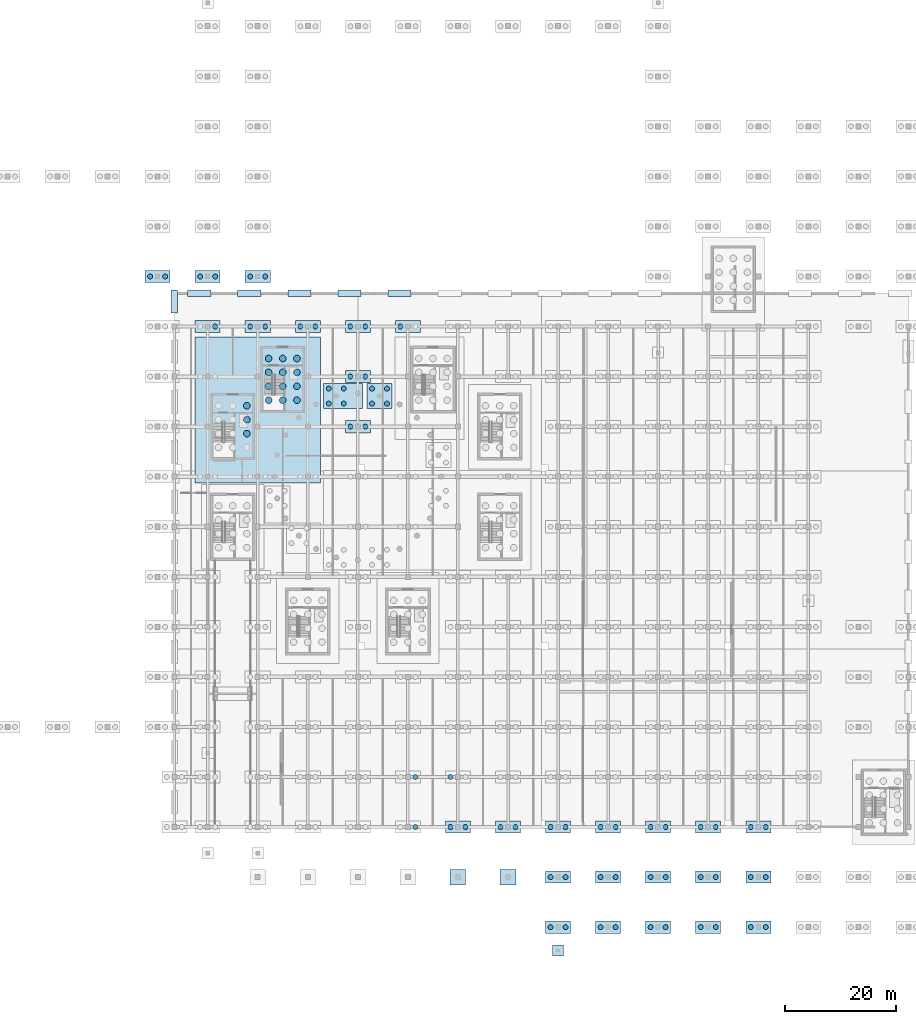
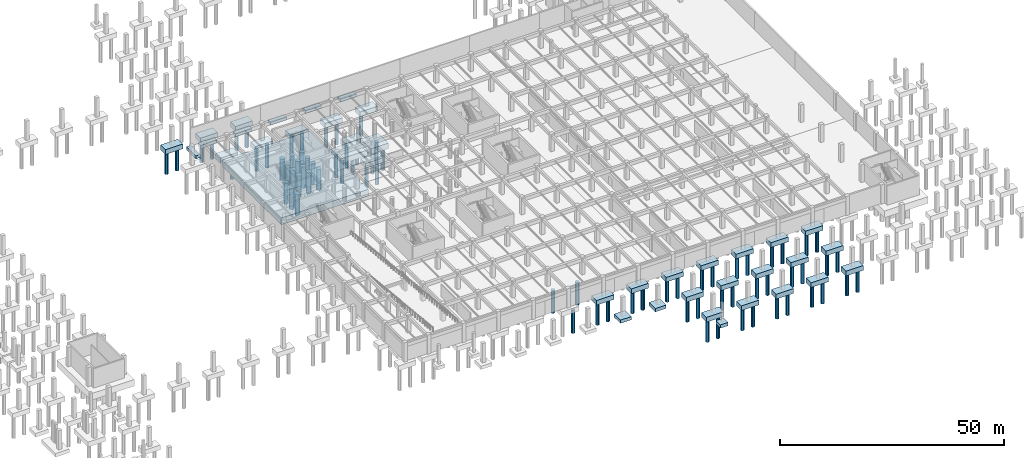
# One storey, part 4 of 27: 78 piles, 39 footings.
"""IFC4 building model written with IfcOpenShell, lengths in metres."""

import ifcopenshell
import ifcopenshell.guid

model = None  # the IFC model being written
_history = None  # IfcOwnerHistory: only IFC2X3 demands one
_inside = {}  # id of a spatial element -> (the spatial element, [elements in it])
_under = {}  # id of a project, library or spatial element -> (it, [spatial elements below it])
_declared = {}  # id of a project -> (the project, [libraries it declares])
_typed = {}  # id of a type object -> (the type object, [elements of that type])
_made_of = {}  # id of a material, layer set ... -> (it, [elements and type objects made of it])


def new_model(schema):
    """Start an empty IFC model of exactly this schema.

    Asked for "IFC4X3", IfcOpenShell would pick the latest addendum, in which some entities
    have other attributes; the version numbers below select the first issue.
    IFC2X3 requires an IfcOwnerHistory on every rooted entity: one is made here for all.
    """
    global model, _history
    if schema == "IFC4X3":
        model = ifcopenshell.file(schema_version=(4, 3, 0, 0))
    else:
        model = ifcopenshell.file(schema=schema)
    _inside.clear()
    _under.clear()
    _declared.clear()
    _typed.clear()
    _made_of.clear()
    _history = None
    if model.schema == "IFC2X3":
        org = make("IfcOrganization", Name="unknown")
        user = make(
            "IfcPersonAndOrganization",
            ThePerson=make("IfcPerson", FamilyName="unknown"),
            TheOrganization=org,
        )
        app = make(
            "IfcApplication",
            ApplicationDeveloper=org,
            Version="unknown",
            ApplicationFullName="unknown",
            ApplicationIdentifier="unknown",
        )
        _history = make(
            "IfcOwnerHistory",
            OwningUser=user,
            OwningApplication=app,
            ChangeAction="ADDED",
            CreationDate=0,
        )
    return model


def make(cls, **values):
    """One entity of the class cls with the attributes given. An attribute that is None is left unset."""
    return model.create_entity(
        cls, **{name: value for name, value in values.items() if value is not None}
    )


def rooted(cls, **values):
    """An entity with a GlobalId (a new one), such as an element, a storey or a relation."""
    return make(cls, GlobalId=ifcopenshell.guid.new(), OwnerHistory=_history, **values)


def si_unit(unit_type, name, prefix=None):
    """IfcSIUnit, for example si_unit("LENGTHUNIT", "METRE", prefix="MILLI")."""
    return make("IfcSIUnit", UnitType=unit_type, Prefix=prefix, Name=name)


def assignment(units):
    """IfcUnitAssignment: the units of a project."""
    return None if units is None else make("IfcUnitAssignment", Units=units)


def point(xyz):
    """IfcCartesianPoint."""
    return None if xyz is None else make("IfcCartesianPoint", Coordinates=xyz)


def direction(xyz):
    """IfcDirection."""
    return None if xyz is None else make("IfcDirection", DirectionRatios=xyz)


def frame(location, z_axis=None, x_axis=None):
    """IfcAxis2Placement3D, a coordinate frame: its origin and axes. An axis left out is left unset."""
    return make(
        "IfcAxis2Placement3D",
        Location=point(location),
        Axis=direction(z_axis),
        RefDirection=direction(x_axis),
    )


def frame_2d(location, x_axis=None):
    """IfcAxis2Placement2D, a coordinate frame in the plane: its origin and x axis."""
    return make(
        "IfcAxis2Placement2D", Location=point(location), RefDirection=direction(x_axis)
    )


def origin():
    """The frame at (0, 0, 0) with its axes left unset."""
    return frame((0.0, 0.0, 0.0))


def origin_2d():
    """The frame at (0, 0) in the plane with its x axis left unset."""
    return frame_2d((0.0, 0.0))


def place(relative_to, where):
    """IfcLocalPlacement: puts the frame where relative to a parent placement (None: the world)."""
    return make(
        "IfcLocalPlacement", PlacementRelTo=relative_to, RelativePlacement=where
    )


def context(
    kind, dimensions, precision=None, world=None, true_north=None, identifier=None
):
    """IfcGeometricRepresentationContext, for example the 3D "Model" context."""
    return make(
        "IfcGeometricRepresentationContext",
        ContextIdentifier=identifier,
        ContextType=kind,
        CoordinateSpaceDimension=dimensions,
        Precision=precision,
        WorldCoordinateSystem=world,
        TrueNorth=true_north,
    )


def subcontext(parent, identifier, kind, view, scale=None):
    """IfcGeometricRepresentationSubContext, for example "Body" below "Model"."""
    return make(
        "IfcGeometricRepresentationSubContext",
        ContextIdentifier=identifier,
        ContextType=kind,
        ParentContext=parent,
        TargetScale=scale,
        TargetView=view,
    )


def project(units=None, contexts=None):
    """IfcProject with its units and contexts."""
    return rooted(
        "IfcProject",
        Name="project",
        RepresentationContexts=contexts,
        UnitsInContext=assignment(units),
    )


def spatial(cls, under=None, at=None, **own):
    """A site, building, storey or space (cls), placed at a placement, below another one or the project."""
    s = rooted(cls, ObjectPlacement=at, **own)
    if under is not None:
        _under.setdefault(under.id(), (under, []))[1].append(s)
    return s


def polyline(points):
    """IfcPolyline through the points."""
    return make("IfcPolyline", Points=[point(p) for p in points])


def profile(cls, at=None, kind="AREA", **sizes):
    """A parametric profile (cls). Its sizes go by their IFC names, for example OverallWidth=200.0."""
    return make(cls, ProfileType=kind, Position=at, **sizes)


def circle(**sizes):
    """IfcCircleProfileDef."""
    return profile("IfcCircleProfileDef", **sizes)


def outline(outer, holes=None, kind="AREA"):
    """IfcArbitraryClosedProfileDef: a profile drawn as a closed curve; with holes, ...WithVoids."""
    if holes is None:
        return make("IfcArbitraryClosedProfileDef", ProfileType=kind, OuterCurve=outer)
    return make(
        "IfcArbitraryProfileDefWithVoids",
        ProfileType=kind,
        OuterCurve=outer,
        InnerCurves=holes,
    )


def extrude(swept, where, along, depth):
    """IfcExtrudedAreaSolid: the profile swept, set in the frame where, extruded along a direction by depth."""
    return make(
        "IfcExtrudedAreaSolid",
        SweptArea=swept,
        Position=where,
        ExtrudedDirection=direction(along),
        Depth=depth,
    )


def shape(context_of_items, identifier, shape_type, items):
    """IfcShapeRepresentation: the items that make up one representation, for example the "Body"."""
    return make(
        "IfcShapeRepresentation",
        ContextOfItems=context_of_items,
        RepresentationIdentifier=identifier,
        RepresentationType=shape_type,
        Items=items,
    )


def material(Name=None, Category=None):
    """IfcMaterial."""
    return make("IfcMaterial", Name=Name, Category=Category)


def layer(
    of_material, thickness, ventilated=None, Name=None, Category=None, Priority=None
):
    """IfcMaterialLayer: one layer of a wall or slab, of a material (None: an air gap)."""
    return make(
        "IfcMaterialLayer",
        Material=of_material,
        LayerThickness=thickness,
        IsVentilated=ventilated,
        Name=Name,
        Category=Category,
        Priority=Priority,
    )


def layer_set(layers, Name=None):
    """IfcMaterialLayerSet."""
    return make("IfcMaterialLayerSet", MaterialLayers=layers, LayerSetName=Name)


def material_profile(
    of_material, cross_section, Name=None, Category=None, Priority=None
):
    """IfcMaterialProfile: a cross section and its material."""
    return make(
        "IfcMaterialProfile",
        Name=Name,
        Material=of_material,
        Profile=cross_section,
        Priority=Priority,
        Category=Category,
    )


def profile_set(profiles, Name=None, composite=None):
    """IfcMaterialProfileSet."""
    return make(
        "IfcMaterialProfileSet",
        Name=Name,
        MaterialProfiles=profiles,
        CompositeProfile=composite,
    )


def made_of(thing, what):
    """Note that an element or type object is made of a material, layer set ...; save() writes the relation."""
    if what is not None:
        _made_of.setdefault(what.id(), (what, []))[1].append(thing)
    return thing


def type_object(cls, material=None, **own):
    """A type object (cls), such as IfcWallType, which elements share."""
    return made_of(rooted(cls, **own), material)


def element(
    cls,
    number,
    at=None,
    inside=None,
    cuts=None,
    type_object=None,
    material=None,
    context=None,
    identifier="Body",
    shape_type=None,
    held_by="IfcProductDefinitionShape",
    body=None,
    shapes=None,
    **own,
):
    """One element of the class cls, such as IfcWall. Its Tag is "e" and its number.

    at: its placement. inside: the storey or other place that contains it. cuts: it is an
    opening in that element (IfcRelVoidsElement). A single representation is given by context,
    identifier, shape_type and body (its items); several are given by shapes. held_by: the class
    of the entity that holds the representations. save() writes the other relations.
    """
    e = rooted(cls, Tag="e%d" % number, ObjectPlacement=at, **own)
    if body is not None:
        shapes = [shape(context, identifier, shape_type, body)]
    if shapes is not None:
        e.Representation = make(held_by, Representations=shapes)
    if inside is not None:
        _inside.setdefault(inside.id(), (inside, []))[1].append(e)
    if cuts is not None:
        rooted(
            "IfcRelVoidsElement", RelatingBuildingElement=cuts, RelatedOpeningElement=e
        )
    if type_object is not None:
        _typed.setdefault(type_object.id(), (type_object, []))[1].append(e)
    return made_of(e, material)


def aggregate(whole, parts):
    """IfcRelAggregates: a whole, such as a stair, and the parts it consists of."""
    return rooted("IfcRelAggregates", RelatingObject=whole, RelatedObjects=parts)


def save(model, path):
    """Write the relations noted so far, then the file.

    IfcRelAggregates (storeys below a building ...), IfcRelContainedInSpatialStructure (elements
    in a storey), IfcRelDefinesByType, IfcRelAssociatesMaterial and IfcRelDeclares: one each for
    every whole, place, type object, material and project.
    """
    for whole, parts in _under.values():
        aggregate(whole, parts)
    for where, things in _inside.values():
        rooted(
            "IfcRelContainedInSpatialStructure",
            RelatedElements=things,
            RelatingStructure=where,
        )
    for kind, things in _typed.values():
        rooted("IfcRelDefinesByType", RelatedObjects=things, RelatingType=kind)
    for what, things in _made_of.values():
        rooted("IfcRelAssociatesMaterial", RelatedObjects=things, RelatingMaterial=what)
    for by, libraries in _declared.values():
        rooted("IfcRelDeclares", RelatingContext=by, RelatedDefinitions=libraries)
    model.write(path)


model = new_model("IFC4")

# Units and contexts
model_context = context("Model", 3, precision=1e-05, world=origin(), true_north=direction((0.0, 1.0)))
body_context = subcontext(model_context, "Body", "Model", "MODEL_VIEW")
ifc_project = project(units=[si_unit("LENGTHUNIT", "METRE"), si_unit("AREAUNIT", "SQUARE_METRE"), si_unit("VOLUMEUNIT", "CUBIC_METRE"), si_unit("PLANEANGLEUNIT", "RADIAN"), si_unit("MASSUNIT", "GRAM", prefix="KILO")], contexts=[model_context])

# Site, building, storey
site_placement = place(None, origin())
site = spatial("IfcSite", under=ifc_project, at=site_placement, CompositionType="ELEMENT")
building_placement = place(site_placement, origin())
building = spatial("IfcBuilding", under=site, at=building_placement, Name="Dornveld Trade and Exhibition Forum", CompositionType="ELEMENT")
storey_placement = place(building_placement, frame((0.0, 0.0, -4.800048828125)))
storey = spatial("IfcBuildingStorey", under=building, at=storey_placement, Name="B1", CompositionType="ELEMENT", Elevation=-4.800048828125)

# Footings
ifc_material_1 = material(Name="Concrete C40/50", Category="concrete")
ifc_layer_1 = layer(ifc_material_1, 1.300048828125)
ifc_layer_set_1 = layer_set([ifc_layer_1], Name="Concrete C40/50")
footing_type_1 = type_object("IfcFootingType", Name="FT-CAP-2P", PredefinedType="PILE_CAP", material=ifc_layer_set_1)
footing_1_placement = place(storey_placement, frame((0.0, 0.0, -1.75)))
element("IfcFooting", 1, at=footing_1_placement, inside=storey, type_object=footing_type_1, Name="Multi-pile cap 90", PredefinedType="PILE_CAP", context=body_context, shape_type="SweptSolid", body=[
    extrude(outline(polyline([(78.75, 115.89990234375), (83.25, 115.89990234375), (83.25, 118.10009765625), (78.75, 118.10009765625), (78.75, 115.89990234375)])), origin(), (0.0, 0.0, 1.0), 1.300048828125),
])
footing_2_placement = place(storey_placement, frame((0.0, 0.0, -1.75)))
element("IfcFooting", 2, at=footing_2_placement, inside=storey, type_object=footing_type_1, Name="Multi-pile cap 103", PredefinedType="PILE_CAP", context=body_context, shape_type="SweptSolid", body=[
    extrude(outline(polyline([(87.75, 106.89990234375), (92.25, 106.89990234375), (92.25, 109.10009765625), (87.75, 109.10009765625), (87.75, 106.89990234375)])), origin(), (0.0, 0.0, 1.0), 1.300048828125),
])
footing_3_placement = place(storey_placement, frame((0.0, 0.0, -1.75)))
element("IfcFooting", 3, at=footing_3_placement, inside=storey, type_object=footing_type_1, Name="Multi-pile cap 104", PredefinedType="PILE_CAP", context=body_context, shape_type="SweptSolid", body=[
    extrude(outline(polyline([(87.75, 115.89990234375), (92.25, 115.89990234375), (92.25, 118.10009765625), (87.75, 118.10009765625), (87.75, 115.89990234375)])), origin(), (0.0, 0.0, 1.0), 1.300048828125),
])
footing_4_placement = place(storey_placement, frame((0.0, 0.0, -1.75)))
element("IfcFooting", 4, at=footing_4_placement, inside=storey, type_object=footing_type_1, Name="Multi-pile cap 117", PredefinedType="PILE_CAP", context=body_context, shape_type="SweptSolid", body=[
    extrude(outline(polyline([(96.75, 106.89990234375), (101.25, 106.89990234375), (101.25, 109.10009765625), (96.75, 109.10009765625), (96.75, 106.89990234375)])), origin(), (0.0, 0.0, 1.0), 1.300048828125),
])
footing_5_placement = place(storey_placement, frame((0.0, 0.0, -1.75)))
element("IfcFooting", 5, at=footing_5_placement, inside=storey, type_object=footing_type_1, Name="Multi-pile cap 118", PredefinedType="PILE_CAP", context=body_context, shape_type="SweptSolid", body=[
    extrude(outline(polyline([(96.75, 115.89990234375), (101.25, 115.89990234375), (101.25, 118.10009765625), (96.75, 118.10009765625), (96.75, 115.89990234375)])), origin(), (0.0, 0.0, 1.0), 1.300048828125),
])
footing_6_placement = place(storey_placement, frame((0.0, 0.0, -1.75)))
element("IfcFooting", 6, at=footing_6_placement, inside=storey, type_object=footing_type_1, Name="Multi-pile cap 131", PredefinedType="PILE_CAP", context=body_context, shape_type="SweptSolid", body=[
    extrude(outline(polyline([(105.75, 106.89990234375), (110.25, 106.89990234375), (110.25, 109.10009765625), (105.75, 109.10009765625), (105.75, 106.89990234375)])), origin(), (0.0, 0.0, 1.0), 1.300048828125),
])
footing_7_placement = place(storey_placement, frame((0.0, 0.0, -1.75)))
element("IfcFooting", 7, at=footing_7_placement, inside=storey, type_object=footing_type_1, Name="Multi-pile cap 143", PredefinedType="PILE_CAP", context=body_context, shape_type="SweptSolid", body=[
    extrude(outline(polyline([(114.75, 88.89990234375), (119.25, 88.89990234375), (119.25, 91.10009765625), (114.75, 91.10009765625), (114.75, 88.89990234375)])), origin(), (0.0, 0.0, 1.0), 1.300048828125),
])
footing_8_placement = place(storey_placement, frame((0.0, 0.0, -1.75)))
element("IfcFooting", 8, at=footing_8_placement, inside=storey, type_object=footing_type_1, Name="Multi-pile cap 144", PredefinedType="PILE_CAP", context=body_context, shape_type="SweptSolid", body=[
    extrude(outline(polyline([(114.75, 97.89990234375), (119.25, 97.89990234375), (119.25, 100.10009765625), (114.75, 100.10009765625), (114.75, 97.89990234375)])), origin(), (0.0, 0.0, 1.0), 1.300048828125),
])
footing_9_placement = place(storey_placement, frame((0.0, 0.0, -1.75)))
element("IfcFooting", 9, at=footing_9_placement, inside=storey, type_object=footing_type_1, Name="Multi-pile cap 145", PredefinedType="PILE_CAP", context=body_context, shape_type="SweptSolid", body=[
    extrude(outline(polyline([(114.75, 106.89990234375), (119.25, 106.89990234375), (119.25, 109.10009765625), (114.75, 109.10009765625), (114.75, 106.89990234375)])), origin(), (0.0, 0.0, 1.0), 1.300048828125),
])
footing_10_placement = place(storey_placement, frame((0.0, 0.0, -1.75)))
element("IfcFooting", 10, at=footing_10_placement, inside=storey, type_object=footing_type_1, Name="Multi-pile cap 155", PredefinedType="PILE_CAP", context=body_context, shape_type="SweptSolid", body=[
    extrude(outline(polyline([(123.75, 106.89990234375), (128.25, 106.89990234375), (128.25, 109.10009765625), (123.75, 109.10009765625), (123.75, 106.89990234375)])), origin(), (0.0, 0.0, 1.0), 1.300048828125),
])
footing_11_placement = place(storey_placement, frame((0.0, 0.0, -1.75)))
element("IfcFooting", 11, at=footing_11_placement, inside=storey, type_object=footing_type_1, Name="Multi-pile cap 159", PredefinedType="PILE_CAP", context=body_context, shape_type="SweptSolid", body=[
    extrude(outline(polyline([(132.75, 16.89990234375), (137.25, 16.89990234375), (137.25, 19.10009765625), (132.75, 19.10009765625), (132.75, 16.89990234375)])), origin(), (0.0, 0.0, 1.0), 1.300048828125),
])
footing_12_placement = place(storey_placement, frame((0.0, 0.0, -1.75)))
element("IfcFooting", 12, at=footing_12_placement, inside=storey, type_object=footing_type_1, Name="Multi-pile cap 167", PredefinedType="PILE_CAP", context=body_context, shape_type="SweptSolid", body=[
    extrude(outline(polyline([(141.75, 16.89990234375), (146.25, 16.89990234375), (146.25, 19.10009765625), (141.75, 19.10009765625), (141.75, 16.89990234375)])), origin(), (0.0, 0.0, 1.0), 1.300048828125),
])
footing_13_placement = place(storey_placement, frame((0.0, 0.0, -1.75)))
element("IfcFooting", 13, at=footing_13_placement, inside=storey, type_object=footing_type_1, Name="Multi-pile cap 177", PredefinedType="PILE_CAP", context=body_context, shape_type="SweptSolid", body=[
    extrude(outline(polyline([(150.75, -1.10009765625), (155.25, -1.10009765625), (155.25, 1.10009765625), (150.75, 1.10009765625), (150.75, -1.10009765625)])), origin(), (0.0, 0.0, 1.0), 1.300048828125),
])
footing_14_placement = place(storey_placement, frame((0.0, 0.0, -1.75)))
element("IfcFooting", 14, at=footing_14_placement, inside=storey, type_object=footing_type_1, Name="Multi-pile cap 178", PredefinedType="PILE_CAP", context=body_context, shape_type="SweptSolid", body=[
    extrude(outline(polyline([(150.75, 7.89990234375), (155.25, 7.89990234375), (155.25, 10.10009765625), (150.75, 10.10009765625), (150.75, 7.89990234375)])), origin(), (0.0, 0.0, 1.0), 1.300048828125),
])
footing_15_placement = place(storey_placement, frame((0.0, 0.0, -1.75)))
element("IfcFooting", 15, at=footing_15_placement, inside=storey, type_object=footing_type_1, Name="Multi-pile cap 179", PredefinedType="PILE_CAP", context=body_context, shape_type="SweptSolid", body=[
    extrude(outline(polyline([(150.75, 16.89990234375), (155.25, 16.89990234375), (155.25, 19.10009765625), (150.75, 19.10009765625), (150.75, 16.89990234375)])), origin(), (0.0, 0.0, 1.0), 1.300048828125),
])
footing_16_placement = place(storey_placement, frame((0.0, 0.0, -1.75)))
element("IfcFooting", 16, at=footing_16_placement, inside=storey, type_object=footing_type_1, Name="Multi-pile cap 191", PredefinedType="PILE_CAP", context=body_context, shape_type="SweptSolid", body=[
    extrude(outline(polyline([(159.75, -1.10009765625), (164.25, -1.10009765625), (164.25, 1.10009765625), (159.75, 1.10009765625), (159.75, -1.10009765625)])), origin(), (0.0, 0.0, 1.0), 1.300048828125),
])
footing_17_placement = place(storey_placement, frame((0.0, 0.0, -1.75)))
element("IfcFooting", 17, at=footing_17_placement, inside=storey, type_object=footing_type_1, Name="Multi-pile cap 192", PredefinedType="PILE_CAP", context=body_context, shape_type="SweptSolid", body=[
    extrude(outline(polyline([(159.75, 7.89990234375), (164.25, 7.89990234375), (164.25, 10.10009765625), (159.75, 10.10009765625), (159.75, 7.89990234375)])), origin(), (0.0, 0.0, 1.0), 1.300048828125),
])
footing_18_placement = place(storey_placement, frame((0.0, 0.0, -1.75)))
element("IfcFooting", 18, at=footing_18_placement, inside=storey, type_object=footing_type_1, Name="Multi-pile cap 193", PredefinedType="PILE_CAP", context=body_context, shape_type="SweptSolid", body=[
    extrude(outline(polyline([(159.75, 16.89990234375), (164.25, 16.89990234375), (164.25, 19.10009765625), (159.75, 19.10009765625), (159.75, 16.89990234375)])), origin(), (0.0, 0.0, 1.0), 1.300048828125),
])
footing_19_placement = place(storey_placement, frame((0.0, 0.0, -1.75)))
element("IfcFooting", 19, at=footing_19_placement, inside=storey, type_object=footing_type_1, Name="Multi-pile cap 205", PredefinedType="PILE_CAP", context=body_context, shape_type="SweptSolid", body=[
    extrude(outline(polyline([(168.75, -1.10009765625), (173.25, -1.10009765625), (173.25, 1.10009765625), (168.75, 1.10009765625), (168.75, -1.10009765625)])), origin(), (0.0, 0.0, 1.0), 1.300048828125),
])
footing_20_placement = place(storey_placement, frame((0.0, 0.0, -1.75)))
element("IfcFooting", 20, at=footing_20_placement, inside=storey, type_object=footing_type_1, Name="Multi-pile cap 206", PredefinedType="PILE_CAP", context=body_context, shape_type="SweptSolid", body=[
    extrude(outline(polyline([(168.75, 7.89990234375), (173.25, 7.89990234375), (173.25, 10.10009765625), (168.75, 10.10009765625), (168.75, 7.89990234375)])), origin(), (0.0, 0.0, 1.0), 1.300048828125),
])
footing_21_placement = place(storey_placement, frame((0.0, 0.0, -1.75)))
element("IfcFooting", 21, at=footing_21_placement, inside=storey, type_object=footing_type_1, Name="Multi-pile cap 207", PredefinedType="PILE_CAP", context=body_context, shape_type="SweptSolid", body=[
    extrude(outline(polyline([(168.75, 16.89990234375), (173.25, 16.89990234375), (173.25, 19.10009765625), (168.75, 19.10009765625), (168.75, 16.89990234375)])), origin(), (0.0, 0.0, 1.0), 1.300048828125),
])
footing_22_placement = place(storey_placement, frame((0.0, 0.0, -1.75)))
element("IfcFooting", 22, at=footing_22_placement, inside=storey, type_object=footing_type_1, Name="Multi-pile cap 224", PredefinedType="PILE_CAP", context=body_context, shape_type="SweptSolid", body=[
    extrude(outline(polyline([(177.75, -1.10009765625), (182.25, -1.10009765625), (182.25, 1.10009765625), (177.75, 1.10009765625), (177.75, -1.10009765625)])), origin(), (0.0, 0.0, 1.0), 1.300048828125),
])
footing_23_placement = place(storey_placement, frame((0.0, 0.0, -1.75)))
element("IfcFooting", 23, at=footing_23_placement, inside=storey, type_object=footing_type_1, Name="Multi-pile cap 225", PredefinedType="PILE_CAP", context=body_context, shape_type="SweptSolid", body=[
    extrude(outline(polyline([(177.75, 7.89990234375), (182.25, 7.89990234375), (182.25, 10.10009765625), (177.75, 10.10009765625), (177.75, 7.89990234375)])), origin(), (0.0, 0.0, 1.0), 1.300048828125),
])
footing_24_placement = place(storey_placement, frame((0.0, 0.0, -1.75)))
element("IfcFooting", 24, at=footing_24_placement, inside=storey, type_object=footing_type_1, Name="Multi-pile cap 226", PredefinedType="PILE_CAP", context=body_context, shape_type="SweptSolid", body=[
    extrude(outline(polyline([(177.75, 16.89990234375), (182.25, 16.89990234375), (182.25, 19.10009765625), (177.75, 19.10009765625), (177.75, 16.89990234375)])), origin(), (0.0, 0.0, 1.0), 1.300048828125),
])
footing_25_placement = place(storey_placement, frame((0.0, 0.0, -1.75)))
element("IfcFooting", 25, at=footing_25_placement, inside=storey, type_object=footing_type_1, Name="Multi-pile cap 239", PredefinedType="PILE_CAP", context=body_context, shape_type="SweptSolid", body=[
    extrude(outline(polyline([(186.75, -1.10009765625), (191.25, -1.10009765625), (191.25, 1.10009765625), (186.75, 1.10009765625), (186.75, -1.10009765625)])), origin(), (0.0, 0.0, 1.0), 1.300048828125),
])
footing_26_placement = place(storey_placement, frame((0.0, 0.0, -1.75)))
element("IfcFooting", 26, at=footing_26_placement, inside=storey, type_object=footing_type_1, Name="Multi-pile cap 240", PredefinedType="PILE_CAP", context=body_context, shape_type="SweptSolid", body=[
    extrude(outline(polyline([(186.75, 7.89990234375), (191.25, 7.89990234375), (191.25, 10.10009765625), (186.75, 10.10009765625), (186.75, 7.89990234375)])), origin(), (0.0, 0.0, 1.0), 1.300048828125),
])
footing_27_placement = place(storey_placement, frame((0.0, 0.0, -1.75)))
element("IfcFooting", 27, at=footing_27_placement, inside=storey, type_object=footing_type_1, Name="Multi-pile cap 241", PredefinedType="PILE_CAP", context=body_context, shape_type="SweptSolid", body=[
    extrude(outline(polyline([(186.75, 16.89990234375), (191.25, 16.89990234375), (191.25, 19.10009765625), (186.75, 19.10009765625), (186.75, 16.89990234375)])), origin(), (0.0, 0.0, 1.0), 1.300048828125),
])
ifc_material_2 = material(Name="Concrete C40/50", Category="concrete")
ifc_layer_2 = layer(ifc_material_2, 1.5)
ifc_layer_set_2 = layer_set([ifc_layer_2], Name="Concrete C40/50")
footing_type_2 = type_object("IfcFootingType", Name="FT-CAP-4P", PredefinedType="PILE_CAP", material=ifc_layer_set_2)
footing_28_placement = place(storey_placement, frame((0.0, 0.0, -1.949951171875)))
element("IfcFooting", 28, at=footing_28_placement, inside=storey, type_object=footing_type_2, Name="Multi-pile cap 134", PredefinedType="PILE_CAP", context=body_context, shape_type="SweptSolid", body=[
    extrude(outline(polyline([(110.867919921875, 93.239013671875), (117.800048828125, 93.239013671875), (117.800048828125, 97.739013671875), (110.867919921875, 97.739013671875), (110.867919921875, 93.239013671875)])), origin(), (0.0, 0.0, 1.0), 1.5),
])
footing_29_placement = place(storey_placement, frame((0.0, 0.0, -1.949951171875)))
element("IfcFooting", 29, at=footing_29_placement, inside=storey, type_object=footing_type_2, Name="Multi-pile cap 148", PredefinedType="PILE_CAP", context=body_context, shape_type="SweptSolid", body=[
    extrude(outline(polyline([(118.632080078125, 93.239013671875), (123.132080078125, 93.239013671875), (123.132080078125, 97.739013671875), (118.632080078125, 97.739013671875), (118.632080078125, 93.239013671875)])), origin(), (0.0, 0.0, 1.0), 1.5),
])
ifc_material_3 = material(Name="Concrete C40/50", Category="concrete")
ifc_layer_3 = layer(ifc_material_3, 0.89990234375)
ifc_layer_set_3 = layer_set([ifc_layer_3], Name="Concrete C40/50")
footing_type_3 = type_object("IfcFootingType", Name="FT-PAD-CAN", PredefinedType="PAD_FOOTING", material=ifc_layer_set_3)
footing_30_placement = place(storey_placement, frame((0.0, 0.0, -1.349853515625)))
element("IfcFooting", 30, at=footing_30_placement, inside=storey, type_object=footing_type_3, Name="Canopy pad footing 7", PredefinedType="PAD_FOOTING", context=body_context, shape_type="SweptSolid", body=[
    extrude(outline(polyline([(133.60009765625, 7.60009765625), (136.39990234375, 7.60009765625), (136.39990234375, 10.39990234375), (133.60009765625, 10.39990234375), (133.60009765625, 7.60009765625)])), origin(), (0.0, 0.0, 1.0), 0.89990234375),
])
footing_31_placement = place(storey_placement, frame((0.0, 0.0, -1.349853515625)))
element("IfcFooting", 31, at=footing_31_placement, inside=storey, type_object=footing_type_3, Name="Canopy pad footing 8", PredefinedType="PAD_FOOTING", context=body_context, shape_type="SweptSolid", body=[
    extrude(outline(polyline([(142.60009765625, 7.60009765625), (145.39990234375, 7.60009765625), (145.39990234375, 10.39990234375), (142.60009765625, 10.39990234375), (142.60009765625, 7.60009765625)])), origin(), (0.0, 0.0, 1.0), 0.89990234375),
])
footing_32_placement = place(storey_placement, frame((0.0, 0.0, -1.349853515625)))
element("IfcFooting", 32, at=footing_32_placement, inside=storey, type_object=footing_type_3, Name="Paving edge pad footing 7", PredefinedType="PAD_FOOTING", context=body_context, shape_type="SweptSolid", body=[
    extrude(outline(polyline([(152.0, -5.199951171875), (154.0, -5.199951171875), (154.0, -3.199951171875), (152.0, -3.199951171875), (152.0, -5.199951171875)])), origin(), (0.0, 0.0, 1.0), 0.89990234375),
])
ifc_material_4 = material(Name="Concrete C40/50", Category="concrete")
ifc_layer_4 = layer(ifc_material_4, 1.800048828125)
ifc_layer_set_4 = layer_set([ifc_layer_4], Name="Concrete C40/50")
footing_type_4 = type_object("IfcFootingType", Name="FT-RAFT-CORE", PredefinedType="PILE_CAP", material=ifc_layer_set_4)
footing_33_placement = place(storey_placement, frame((0.0, 0.0, -2.25)))
element("IfcFooting", 33, at=footing_33_placement, inside=storey, type_object=footing_type_4, Name="CORE-03 piled foundation raft", PredefinedType="PILE_CAP", context=body_context, shape_type="SweptSolid", body=[
    extrude(outline(polyline([(87.75, 79.89990234375), (110.300048828125, 79.89990234375), (110.300048828125, 106.10009765625), (87.75, 106.10009765625), (87.75, 79.89990234375)])), origin(), (0.0, 0.0, 1.0), 1.800048828125),
])
ifc_material_5 = material(Name="Concrete C40/50", Category="concrete")
ifc_layer_5 = layer(ifc_material_5, 0.800048828125)
ifc_layer_set_5 = layer_set([ifc_layer_5], Name="Concrete C40/50")
footing_type_5 = type_object("IfcFootingType", Name="FT-STRIP-900", PredefinedType="STRIP_FOOTING", material=ifc_layer_set_5)
footing_34_placement = place(storey_placement, frame((0.0, 0.0, -1.25)))
element("IfcFooting", 34, at=footing_34_placement, inside=storey, type_object=footing_type_5, Name="Basement perimeter strip footing 1", PredefinedType="STRIP_FOOTING", context=body_context, shape_type="SweptSolid", body=[
    extrude(outline(polyline([(86.39990234375, 113.39990234375), (90.60009765625, 113.39990234375), (90.60009765625, 114.60009765625), (86.39990234375, 114.60009765625), (86.39990234375, 113.39990234375)])), origin(), (0.0, 0.0, 1.0), 0.800048828125),
])
footing_35_placement = place(storey_placement, frame((0.0, 0.0, -1.25)))
element("IfcFooting", 35, at=footing_35_placement, inside=storey, type_object=footing_type_5, Name="Basement perimeter strip footing 2", PredefinedType="STRIP_FOOTING", context=body_context, shape_type="SweptSolid", body=[
    extrude(outline(polyline([(95.39990234375, 113.39990234375), (99.60009765625, 113.39990234375), (99.60009765625, 114.60009765625), (95.39990234375, 114.60009765625), (95.39990234375, 113.39990234375)])), origin(), (0.0, 0.0, 1.0), 0.800048828125),
])
footing_36_placement = place(storey_placement, frame((0.0, 0.0, -1.25)))
element("IfcFooting", 36, at=footing_36_placement, inside=storey, type_object=footing_type_5, Name="Basement perimeter strip footing 3", PredefinedType="STRIP_FOOTING", context=body_context, shape_type="SweptSolid", body=[
    extrude(outline(polyline([(104.39990234375, 113.39990234375), (108.60009765625, 113.39990234375), (108.60009765625, 114.60009765625), (104.39990234375, 114.60009765625), (104.39990234375, 113.39990234375)])), origin(), (0.0, 0.0, 1.0), 0.800048828125),
])
footing_37_placement = place(storey_placement, frame((0.0, 0.0, -1.25)))
element("IfcFooting", 37, at=footing_37_placement, inside=storey, type_object=footing_type_5, Name="Basement perimeter strip footing 4", PredefinedType="STRIP_FOOTING", context=body_context, shape_type="SweptSolid", body=[
    extrude(outline(polyline([(113.39990234375, 113.39990234375), (117.60009765625, 113.39990234375), (117.60009765625, 114.60009765625), (113.39990234375, 114.60009765625), (113.39990234375, 113.39990234375)])), origin(), (0.0, 0.0, 1.0), 0.800048828125),
])
footing_38_placement = place(storey_placement, frame((0.0, 0.0, -1.25)))
element("IfcFooting", 38, at=footing_38_placement, inside=storey, type_object=footing_type_5, Name="Basement perimeter strip footing 5", PredefinedType="STRIP_FOOTING", context=body_context, shape_type="SweptSolid", body=[
    extrude(outline(polyline([(122.39990234375, 113.39990234375), (126.60009765625, 113.39990234375), (126.60009765625, 114.60009765625), (122.39990234375, 114.60009765625), (122.39990234375, 113.39990234375)])), origin(), (0.0, 0.0, 1.0), 0.800048828125),
])
footing_39_placement = place(storey_placement, frame((0.0, 0.0, -1.25)))
element("IfcFooting", 39, at=footing_39_placement, inside=storey, type_object=footing_type_5, Name="Basement perimeter strip footing 24", PredefinedType="STRIP_FOOTING", context=body_context, shape_type="SweptSolid", body=[
    extrude(outline(polyline([(83.39990234375, 110.39990234375), (84.60009765625, 110.39990234375), (84.60009765625, 114.60009765625), (83.39990234375, 114.60009765625), (83.39990234375, 110.39990234375)])), origin(), (0.0, 0.0, 1.0), 0.800048828125),
])

# Piles
ifc_material_6 = material(Name="Concrete C40/50", Category="concrete")
ifc_material_profile_1 = material_profile(ifc_material_6, circle(Radius=0.60009765625, at=origin_2d()), Name="PILE D1200")
ifc_profile_set_1 = profile_set([ifc_material_profile_1], Name="Concrete C40/50")
pile_type_1 = type_object("IfcPileType", Name="PILE-B1200", PredefinedType="BORED", material=ifc_profile_set_1)
for number, where, z_axis, x_axis, name in (
    (40, (100.949951171875, 94.75, -2.14990234375), (0.0, 0.0, -1.0), (1.0, 0.0, 0.0), "CORE-03 rock-socketed bored pile 1"),
    (41, (100.949951171875, 97.25, -2.14990234375), (0.0, 0.0, -1.0), (1.0, 0.0, 0.0), "CORE-03 rock-socketed bored pile 2"),
    (42, (100.949951171875, 99.75, -2.14990234375), (0.0, 0.0, -1.0), (1.0, 0.0, 0.0), "CORE-03 rock-socketed bored pile 3"),
    (43, (100.949951171875, 102.25, -2.14990234375), (0.0, 0.0, -1.0), (1.0, 0.0, 0.0), "CORE-03 rock-socketed bored pile 4"),
    (44, (103.5, 94.75, -2.14990234375), (0.0, 0.0, -1.0), (1.0, 0.0, 0.0), "CORE-03 rock-socketed bored pile 5"),
    (45, (103.5, 97.25, -2.14990234375), (0.0, 0.0, -1.0), (1.0, 0.0, 0.0), "CORE-03 rock-socketed bored pile 6"),
    (46, (103.5, 99.75, -2.14990234375), (0.0, 0.0, -1.0), (1.0, 0.0, 0.0), "CORE-03 rock-socketed bored pile 7"),
    (47, (103.5, 102.25, -2.14990234375), (0.0, 0.0, -1.0), (1.0, 0.0, 0.0), "CORE-03 rock-socketed bored pile 8"),
    (48, (106.050048828125, 94.75, -2.14990234375), (0.0, 0.0, -1.0), (1.0, 0.0, 0.0), "CORE-03 rock-socketed bored pile 9"),
    (49, (106.050048828125, 97.25, -2.14990234375), (0.0, 0.0, -1.0), (1.0, 0.0, 0.0), "CORE-03 rock-socketed bored pile 10"),
    (50, (106.050048828125, 99.75, -2.14990234375), (0.0, 0.0, -1.0), (1.0, 0.0, 0.0), "CORE-03 rock-socketed bored pile 11"),
    (51, (106.050048828125, 102.25, -2.14990234375), (0.0, 0.0, -1.0), (1.0, 0.0, 0.0), "CORE-03 rock-socketed bored pile 12"),
    (52, (97.050048828125, 88.75, -2.14990234375), (0.0, 0.0, -1.0), (1.0, 0.0, 0.0), "CORE-04 rock-socketed bored pile 10"),
    (53, (97.050048828125, 91.25, -2.14990234375), (0.0, 0.0, -1.0), (1.0, 0.0, 0.0), "CORE-04 rock-socketed bored pile 11"),
    (54, (97.050048828125, 93.75, -2.14990234375), (0.0, 0.0, -1.0), (1.0, 0.0, 0.0), "CORE-04 rock-socketed bored pile 12"),
):
    element("IfcPile", number, at=place(storey_placement, frame(where, z_axis=z_axis, x_axis=x_axis)), inside=storey, type_object=pile_type_1, Name=name, PredefinedType="BORED", context=body_context, shape_type="SweptSolid", body=[
        extrude(circle(Radius=0.60009765625, at=origin_2d()), origin(), (0.0, 0.0, 1.0), 5.75),
    ])
ifc_material_7 = material(Name="Concrete C40/50", Category="concrete")
ifc_material_profile_2 = material_profile(ifc_material_7, circle(Radius=0.449951171875, at=origin_2d()), Name="PILE D900")
ifc_profile_set_2 = profile_set([ifc_material_profile_2], Name="Concrete C40/50")
pile_type_2 = type_object("IfcPileType", Name="PILE-B900", PredefinedType="BORED", material=ifc_profile_set_2)
for number, where, z_axis, x_axis, name in (
    (55, (79.64990234375, 117.0, -1.64990234375), (0.0, 0.0, -1.0), (1.0, 0.0, 0.0), "Cap 90 rock-socketed pile 1"),
    (56, (82.35009765625, 117.0, -1.64990234375), (0.0, 0.0, -1.0), (1.0, 0.0, 0.0), "Cap 90 rock-socketed pile 2"),
    (57, (91.35009765625, 108.0, -1.64990234375), (0.0, 0.0, -1.0), (1.0, 0.0, 0.0), "Cap 103 rock-socketed pile 2"),
    (58, (88.64990234375, 117.0, -1.64990234375), (0.0, 0.0, -1.0), (1.0, 0.0, 0.0), "Cap 104 rock-socketed pile 1"),
    (59, (91.35009765625, 117.0, -1.64990234375), (0.0, 0.0, -1.0), (1.0, 0.0, 0.0), "Cap 104 rock-socketed pile 2"),
    (60, (97.64990234375, 108.0, -1.64990234375), (0.0, 0.0, -1.0), (1.0, 0.0, 0.0), "Cap 117 rock-socketed pile 1"),
    (61, (100.35009765625, 108.0, -1.64990234375), (0.0, 0.0, -1.0), (1.0, 0.0, 0.0), "Cap 117 rock-socketed pile 2"),
    (62, (97.64990234375, 117.0, -1.64990234375), (0.0, 0.0, -1.0), (1.0, 0.0, 0.0), "Cap 118 rock-socketed pile 1"),
    (63, (100.35009765625, 117.0, -1.64990234375), (0.0, 0.0, -1.0), (1.0, 0.0, 0.0), "Cap 118 rock-socketed pile 2"),
    (64, (106.64990234375, 108.0, -1.64990234375), (0.0, 0.0, -1.0), (1.0, 0.0, 0.0), "Cap 131 rock-socketed pile 1"),
    (65, (109.35009765625, 108.0, -1.64990234375), (0.0, 0.0, -1.0), (1.0, 0.0, 0.0), "Cap 131 rock-socketed pile 2"),
):
    element("IfcPile", number, at=place(storey_placement, frame(where, z_axis=z_axis, x_axis=x_axis)), inside=storey, type_object=pile_type_2, Name=name, PredefinedType="BORED", context=body_context, shape_type="SweptSolid", body=[
        extrude(circle(Radius=0.449951171875, at=origin_2d()), origin(), (0.0, 0.0, 1.0), 6.25),
    ])
for number, where, z_axis, x_axis, name in (
    (66, (111.76806640625, 94.138916015625, -1.849853515625), (0.0, 0.0, -1.0), (1.0, 0.0, 0.0), "Cap 134 rock-socketed pile 1"),
    (67, (111.76806640625, 96.839111328125, -1.849853515625), (0.0, 0.0, -1.0), (1.0, 0.0, 0.0), "Cap 134 rock-socketed pile 2"),
    (68, (114.468017578125, 94.138916015625, -1.849853515625), (0.0, 0.0, -1.0), (1.0, 0.0, 0.0), "Cap 134 rock-socketed pile 3"),
    (69, (114.468017578125, 96.839111328125, -1.849853515625), (0.0, 0.0, -1.0), (1.0, 0.0, 0.0), "Cap 134 rock-socketed pile 4"),
):
    element("IfcPile", number, at=place(storey_placement, frame(where, z_axis=z_axis, x_axis=x_axis)), inside=storey, type_object=pile_type_2, Name=name, PredefinedType="BORED", context=body_context, shape_type="SweptSolid", body=[
        extrude(circle(Radius=0.449951171875, at=origin_2d()), origin(), (0.0, 0.0, 1.0), 6.050048828125),
    ])
for number, where, z_axis, x_axis, name in (
    (70, (115.64990234375, 90.0, -1.64990234375), (0.0, 0.0, -1.0), (1.0, 0.0, 0.0), "Cap 143 rock-socketed pile 1"),
    (71, (118.35009765625, 90.0, -1.64990234375), (0.0, 0.0, -1.0), (1.0, 0.0, 0.0), "Cap 143 rock-socketed pile 2"),
    (72, (115.64990234375, 99.0, -1.64990234375), (0.0, 0.0, -1.0), (1.0, 0.0, 0.0), "Cap 144 rock-socketed pile 1"),
    (73, (118.35009765625, 99.0, -1.64990234375), (0.0, 0.0, -1.0), (1.0, 0.0, 0.0), "Cap 144 rock-socketed pile 2"),
    (74, (115.64990234375, 108.0, -1.64990234375), (0.0, 0.0, -1.0), (1.0, 0.0, 0.0), "Cap 145 rock-socketed pile 1"),
    (75, (118.35009765625, 108.0, -1.64990234375), (0.0, 0.0, -1.0), (1.0, 0.0, 0.0), "Cap 145 rock-socketed pile 2"),
):
    element("IfcPile", number, at=place(storey_placement, frame(where, z_axis=z_axis, x_axis=x_axis)), inside=storey, type_object=pile_type_2, Name=name, PredefinedType="BORED", context=body_context, shape_type="SweptSolid", body=[
        extrude(circle(Radius=0.449951171875, at=origin_2d()), origin(), (0.0, 0.0, 1.0), 6.25),
    ])
for number, where, z_axis, x_axis, name in (
    (76, (119.531982421875, 94.138916015625, -1.849853515625), (0.0, 0.0, -1.0), (1.0, 0.0, 0.0), "Cap 148 rock-socketed pile 1"),
    (77, (119.531982421875, 96.839111328125, -1.849853515625), (0.0, 0.0, -1.0), (1.0, 0.0, 0.0), "Cap 148 rock-socketed pile 2"),
    (78, (122.23193359375, 94.138916015625, -1.849853515625), (0.0, 0.0, -1.0), (1.0, 0.0, 0.0), "Cap 148 rock-socketed pile 3"),
    (79, (122.23193359375, 96.839111328125, -1.849853515625), (0.0, 0.0, -1.0), (1.0, 0.0, 0.0), "Cap 148 rock-socketed pile 4"),
):
    element("IfcPile", number, at=place(storey_placement, frame(where, z_axis=z_axis, x_axis=x_axis)), inside=storey, type_object=pile_type_2, Name=name, PredefinedType="BORED", context=body_context, shape_type="SweptSolid", body=[
        extrude(circle(Radius=0.449951171875, at=origin_2d()), origin(), (0.0, 0.0, 1.0), 6.050048828125),
    ])
for number, where, z_axis, x_axis, name in (
    (80, (127.35009765625, 18.0, -1.64990234375), (0.0, 0.0, -1.0), (1.0, 0.0, 0.0), "Cap 149 rock-socketed pile 2"),
    (81, (127.35009765625, 27.0, -1.64990234375), (0.0, 0.0, -1.0), (1.0, 0.0, 0.0), "Cap 150 rock-socketed pile 2"),
    (82, (124.64990234375, 108.0, -1.64990234375), (0.0, 0.0, -1.0), (1.0, 0.0, 0.0), "Cap 155 rock-socketed pile 1"),
    (83, (133.64990234375, 18.0, -1.64990234375), (0.0, 0.0, -1.0), (1.0, 0.0, 0.0), "Cap 159 rock-socketed pile 1"),
    (84, (136.35009765625, 18.0, -1.64990234375), (0.0, 0.0, -1.0), (1.0, 0.0, 0.0), "Cap 159 rock-socketed pile 2"),
    (85, (133.64990234375, 27.0, -1.64990234375), (0.0, 0.0, -1.0), (1.0, 0.0, 0.0), "Cap 160 rock-socketed pile 1"),
    (86, (142.64990234375, 18.0, -1.64990234375), (0.0, 0.0, -1.0), (1.0, 0.0, 0.0), "Cap 167 rock-socketed pile 1"),
    (87, (145.35009765625, 18.0, -1.64990234375), (0.0, 0.0, -1.0), (1.0, 0.0, 0.0), "Cap 167 rock-socketed pile 2"),
    (88, (151.64990234375, 0.0, -1.64990234375), (0.0, 0.0, -1.0), (1.0, 0.0, 0.0), "Cap 177 rock-socketed pile 1"),
    (89, (154.35009765625, 0.0, -1.64990234375), (0.0, 0.0, -1.0), (1.0, 0.0, 0.0), "Cap 177 rock-socketed pile 2"),
    (90, (151.64990234375, 9.0, -1.64990234375), (0.0, 0.0, -1.0), (1.0, 0.0, 0.0), "Cap 178 rock-socketed pile 1"),
    (91, (154.35009765625, 9.0, -1.64990234375), (0.0, 0.0, -1.0), (1.0, 0.0, 0.0), "Cap 178 rock-socketed pile 2"),
    (92, (151.64990234375, 18.0, -1.64990234375), (0.0, 0.0, -1.0), (1.0, 0.0, 0.0), "Cap 179 rock-socketed pile 1"),
    (93, (154.35009765625, 18.0, -1.64990234375), (0.0, 0.0, -1.0), (1.0, 0.0, 0.0), "Cap 179 rock-socketed pile 2"),
    (94, (160.64990234375, 0.0, -1.64990234375), (0.0, 0.0, -1.0), (1.0, 0.0, 0.0), "Cap 191 rock-socketed pile 1"),
    (95, (163.35009765625, 0.0, -1.64990234375), (0.0, 0.0, -1.0), (1.0, 0.0, 0.0), "Cap 191 rock-socketed pile 2"),
    (96, (160.64990234375, 9.0, -1.64990234375), (0.0, 0.0, -1.0), (1.0, 0.0, 0.0), "Cap 192 rock-socketed pile 1"),
    (97, (163.35009765625, 9.0, -1.64990234375), (0.0, 0.0, -1.0), (1.0, 0.0, 0.0), "Cap 192 rock-socketed pile 2"),
    (98, (160.64990234375, 18.0, -1.64990234375), (0.0, 0.0, -1.0), (1.0, 0.0, 0.0), "Cap 193 rock-socketed pile 1"),
    (99, (163.35009765625, 18.0, -1.64990234375), (0.0, 0.0, -1.0), (1.0, 0.0, 0.0), "Cap 193 rock-socketed pile 2"),
    (100, (169.64990234375, 0.0, -1.64990234375), (0.0, 0.0, -1.0), (1.0, 0.0, 0.0), "Cap 205 rock-socketed pile 1"),
    (101, (172.35009765625, 0.0, -1.64990234375), (0.0, 0.0, -1.0), (1.0, 0.0, 0.0), "Cap 205 rock-socketed pile 2"),
    (102, (169.64990234375, 9.0, -1.64990234375), (0.0, 0.0, -1.0), (1.0, 0.0, 0.0), "Cap 206 rock-socketed pile 1"),
    (103, (172.35009765625, 9.0, -1.64990234375), (0.0, 0.0, -1.0), (1.0, 0.0, 0.0), "Cap 206 rock-socketed pile 2"),
    (104, (169.64990234375, 18.0, -1.64990234375), (0.0, 0.0, -1.0), (1.0, 0.0, 0.0), "Cap 207 rock-socketed pile 1"),
    (105, (172.35009765625, 18.0, -1.64990234375), (0.0, 0.0, -1.0), (1.0, 0.0, 0.0), "Cap 207 rock-socketed pile 2"),
    (106, (178.64990234375, 0.0, -1.64990234375), (0.0, 0.0, -1.0), (1.0, 0.0, 0.0), "Cap 224 rock-socketed pile 1"),
    (107, (181.35009765625, 0.0, -1.64990234375), (0.0, 0.0, -1.0), (1.0, 0.0, 0.0), "Cap 224 rock-socketed pile 2"),
    (108, (178.64990234375, 9.0, -1.64990234375), (0.0, 0.0, -1.0), (1.0, 0.0, 0.0), "Cap 225 rock-socketed pile 1"),
    (109, (181.35009765625, 9.0, -1.64990234375), (0.0, 0.0, -1.0), (1.0, 0.0, 0.0), "Cap 225 rock-socketed pile 2"),
    (110, (178.64990234375, 18.0, -1.64990234375), (0.0, 0.0, -1.0), (1.0, 0.0, 0.0), "Cap 226 rock-socketed pile 1"),
    (111, (181.35009765625, 18.0, -1.64990234375), (0.0, 0.0, -1.0), (1.0, 0.0, 0.0), "Cap 226 rock-socketed pile 2"),
    (112, (187.64990234375, 0.0, -1.64990234375), (0.0, 0.0, -1.0), (1.0, 0.0, 0.0), "Cap 239 rock-socketed pile 1"),
    (113, (190.35009765625, 0.0, -1.64990234375), (0.0, 0.0, -1.0), (1.0, 0.0, 0.0), "Cap 239 rock-socketed pile 2"),
    (114, (187.64990234375, 9.0, -1.64990234375), (0.0, 0.0, -1.0), (1.0, 0.0, 0.0), "Cap 240 rock-socketed pile 1"),
    (115, (190.35009765625, 9.0, -1.64990234375), (0.0, 0.0, -1.0), (1.0, 0.0, 0.0), "Cap 240 rock-socketed pile 2"),
    (116, (187.64990234375, 18.0, -1.64990234375), (0.0, 0.0, -1.0), (1.0, 0.0, 0.0), "Cap 241 rock-socketed pile 1"),
    (117, (190.35009765625, 18.0, -1.64990234375), (0.0, 0.0, -1.0), (1.0, 0.0, 0.0), "Cap 241 rock-socketed pile 2"),
):
    element("IfcPile", number, at=place(storey_placement, frame(where, z_axis=z_axis, x_axis=x_axis)), inside=storey, type_object=pile_type_2, Name=name, PredefinedType="BORED", context=body_context, shape_type="SweptSolid", body=[
        extrude(circle(Radius=0.449951171875, at=origin_2d()), origin(), (0.0, 0.0, 1.0), 6.25),
    ])

save(model, "model.ifc")
